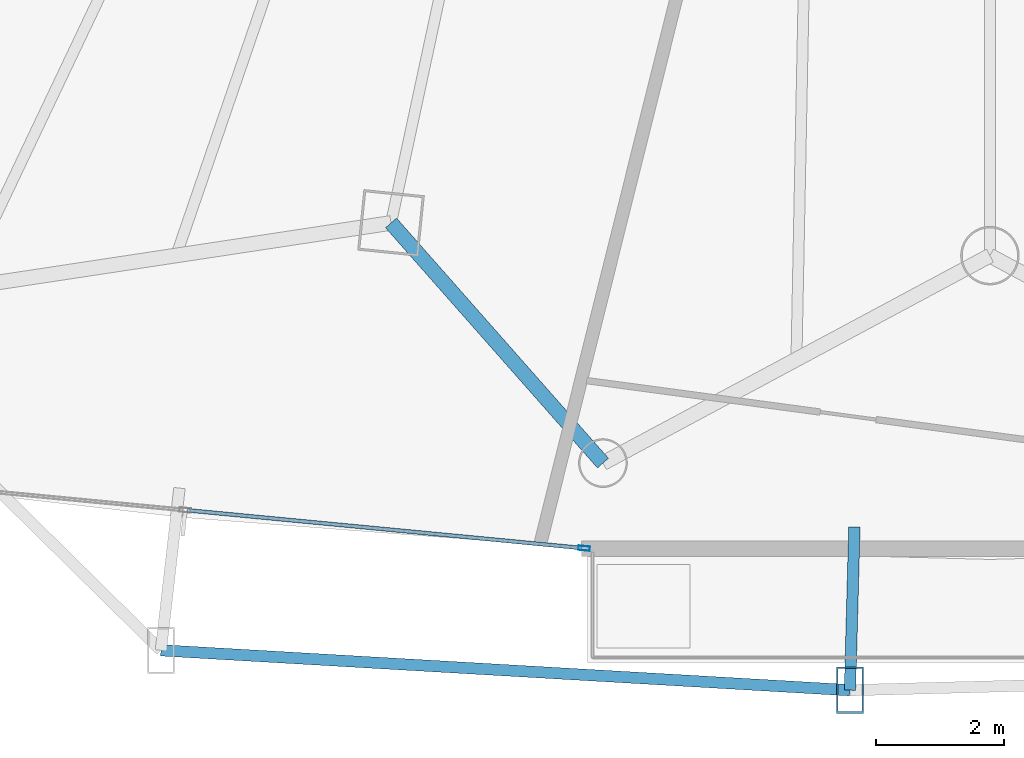
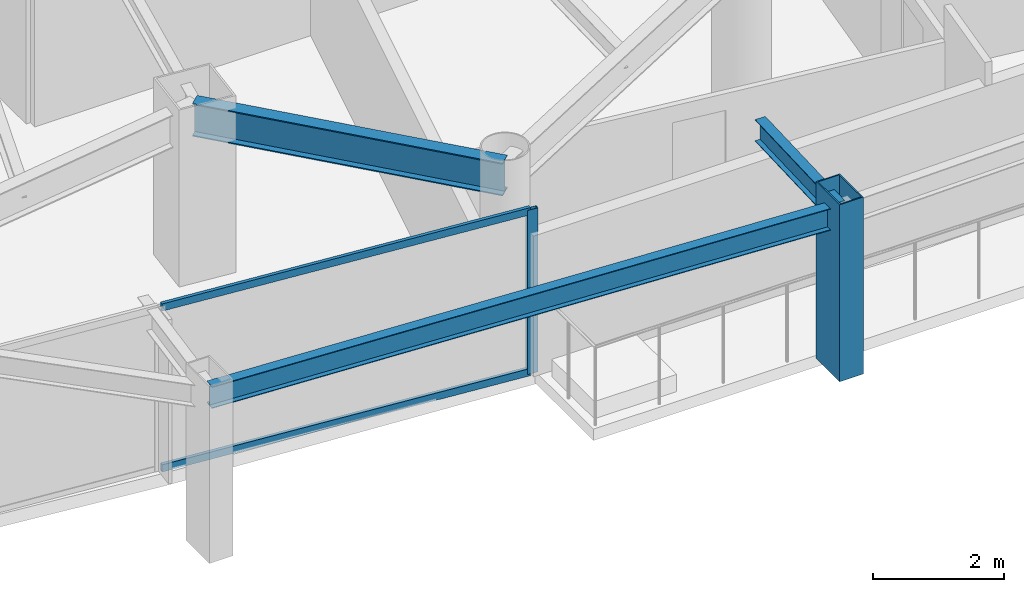
# One storey, part 6 of 33: 4 members, 3 beams, 1 element without a shape of its own.
"""IFC4 building model written with IfcOpenShell, lengths in metres."""

from ifc_helpers import new_model, si_unit, direction, frame, origin, origin_2d, place, context, subcontext, project, spatial, hollow_rectangle, i_section, extrude, material, layer, layer_set, material_profile, profile_set, type_object, element, aggregate, save


model = new_model("IFC4")

# Units and contexts
model_context = context("Model", 3, precision=1e-05, world=origin(), true_north=direction((0.0, 1.0)))
body_context = subcontext(model_context, "Body", "Model", "MODEL_VIEW")
ifc_project = project(units=[si_unit("LENGTHUNIT", "METRE"), si_unit("AREAUNIT", "SQUARE_METRE"), si_unit("VOLUMEUNIT", "CUBIC_METRE"), si_unit("PLANEANGLEUNIT", "RADIAN"), si_unit("MASSUNIT", "GRAM", prefix="KILO")], contexts=[model_context])

# Site, building, storey
site_placement = place(None, origin())
site = spatial("IfcSite", under=ifc_project, at=site_placement, CompositionType="ELEMENT")
building_placement = place(site_placement, origin())
building = spatial("IfcBuilding", under=site, at=building_placement, Name="Orvanel Arch Residences", CompositionType="ELEMENT")
storey_placement = place(building_placement, frame((0.0, 0.0, 84.050048828125)))
storey = spatial("IfcBuildingStorey", under=building, at=storey_placement, Name="L23", CompositionType="ELEMENT", Elevation=84.050048828125)

# Member
ifc_material_1 = material(Name="Structural steel AS/NZS 3678 Grade 350", Category="steel")
ifc_material_profile_1 = material_profile(ifc_material_1, hollow_rectangle(XDim=0.419921875, YDim=0.719970703125, WallThickness=0.02490234375, at=origin_2d()), Name="RHS720x420x25")
ifc_profile_set_1 = profile_set([ifc_material_profile_1], Name="Structural steel AS/NZS 3678 Grade 350")
member_type_1 = type_object("IfcMemberType", Name="CH-720RHS-EXT", PredefinedType="CHORD", material=ifc_profile_set_1)
member_1_placement = place(storey_placement, frame((30.81494140625, 0.05908203125, 0.0), z_axis=(0.0, 0.0, 1.0), x_axis=(1.0, 0.0, 0.0)))
element("IfcMember", 1, at=member_1_placement, inside=storey, type_object=member_type_1, Name="L23 Outer Perimeter Frame Post 06", PredefinedType="CHORD", context=body_context, shape_type="SweptSolid", body=[
    extrude(hollow_rectangle(XDim=0.419921875, YDim=0.719970703125, WallThickness=0.02490234375, at=origin_2d()), origin(), (0.0, 0.0, 1.0), 3.300048828125),
])

# Curtain wall, member
ifc_material_2 = material(Name="Bronze-anodised aluminium AA6063-T6", Category="aluminium")
ifc_layer = layer(ifc_material_2, 0.179931640625)
ifc_layer_set = layer_set([ifc_layer], Name="Bronze-anodised aluminium AA6063-T6")
curtain_wall_type = type_object("IfcCurtainWallType", Name="CW2-LOW-SYS", PredefinedType="NOTDEFINED", material=ifc_layer_set)
curtain_wall_placement = place(storey_placement, origin())
curtain_wall = element("IfcCurtainWall", 2, at=curtain_wall_placement, inside=storey, type_object=curtain_wall_type, Name="L23 CW2-LOW-SYS Unitised Curtain Wall", PredefinedType="NOTDEFINED")
ifc_material_profile_2 = material_profile(ifc_material_2, hollow_rectangle(XDim=0.070068359375, YDim=0.179931640625, WallThickness=0.00439453125, at=origin_2d()), Name="ALU180x70x4.5")
ifc_profile_set_2 = profile_set([ifc_material_profile_2], Name="Bronze-anodised aluminium AA6063-T6")
member_type_2 = type_object("IfcMemberType", Name="MUL-180x70", PredefinedType="MULLION", material=ifc_profile_set_2)
member_2_placement = place(storey_placement, frame((26.6630859375, 2.275390625, 0.0), z_axis=(0.0, 0.0, 1.0), x_axis=(0.095292908754, 0.995449276227, 0.0)))
member_2 = element("IfcMember", 3, at=member_2_placement, type_object=member_type_2, Name="CW-S2 mullion 3", PredefinedType="MULLION", context=body_context, shape_type="SweptSolid", body=[
    extrude(hollow_rectangle(XDim=0.070068359375, YDim=0.179931640625, WallThickness=0.00439453125, at=origin_2d()), origin(), (0.0, 0.0, 1.0), 3.06005859375),
])

# Beams
ifc_material_3 = material(Name="Structural steel AS/NZS 3679.1 Grade 300 (300 MPa)", Category="steel")
ifc_material_profile_3 = material_profile(ifc_material_3, i_section(OverallWidth=0.177978515625, OverallDepth=0.406005859375, WebThickness=0.0078125, FlangeThickness=0.0126953125, at=origin_2d()), Name="410UB59.7")
ifc_profile_set_3 = profile_set([ifc_material_profile_3], Name="Structural steel AS/NZS 3679.1 Grade 300 (300 MPa)")
beam_type_1 = type_object("IfcBeamType", Name="OB-410UB-EXT", PredefinedType="SPANDREL", material=ifc_profile_set_3)
beam_1_placement = place(storey_placement, frame((20.055908203125, 0.681884765625, 2.85693359375), z_axis=(0.998328775622, -0.057789754853, 0.0), x_axis=(0.057789754853, 0.998328775622, 0.0)))
element("IfcBeam", 4, at=beam_1_placement, inside=storey, type_object=beam_type_1, Name="L23 Outer Perimeter Floor Ring Beam 05", PredefinedType="SPANDREL", context=body_context, shape_type="SweptSolid", body=[
    extrude(i_section(OverallWidth=0.177978515625, OverallDepth=0.406005859375, WebThickness=0.0078125, FlangeThickness=0.0126953125, at=origin_2d()), origin(), (0.0, 0.0, 1.0), 10.777099609375),
])
beam_2_placement = place(storey_placement, frame((30.884033203125, 2.60791015625, 2.85693359375), z_axis=(-0.027097325902, -0.999632800047, 0.0), x_axis=(0.999632800047, -0.027097325902, 0.0)))
element("IfcBeam", 5, at=beam_2_placement, inside=storey, type_object=beam_type_1, Name="L23 Outer Frame Radial Tie Beam 06", PredefinedType="SPANDREL", context=body_context, shape_type="SweptSolid", body=[
    extrude(i_section(OverallWidth=0.177978515625, OverallDepth=0.406005859375, WebThickness=0.0078125, FlangeThickness=0.0126953125, at=origin_2d()), origin(), (0.0, 0.0, 1.0), 2.5498046875),
])
ifc_material_profile_4 = material_profile(ifc_material_3, i_section(OverallWidth=0.22900390625, OverallDepth=0.612060546875, WebThickness=0.011962890625, FlangeThickness=0.01953125, at=origin_2d()), Name="610UB125")
ifc_profile_set_4 = profile_set([ifc_material_profile_4], Name="Structural steel AS/NZS 3679.1 Grade 300 (300 MPa)")
beam_type_2 = type_object("IfcBeamType", Name="SP-610UB", PredefinedType="SPANDREL", material=ifc_profile_set_4)
beam_3_placement = place(storey_placement, frame((23.64892578125, 7.35498046875, 2.75390625), z_axis=(0.661650698195, -0.749812212209, 0.0), x_axis=(0.749812212209, 0.661650698195, 0.0)))
element("IfcBeam", 6, at=beam_3_placement, inside=storey, type_object=beam_type_2, Name="L23 Perimeter Spandrel Beam 05", PredefinedType="SPANDREL", context=body_context, shape_type="SweptSolid", body=[
    extrude(i_section(OverallWidth=0.22900390625, OverallDepth=0.612060546875, WebThickness=0.011962890625, FlangeThickness=0.01953125, at=origin_2d()), origin(), (0.0, 0.0, 1.0), 5.001220703125),
])

# Member
ifc_material_profile_5 = material_profile(ifc_material_2, hollow_rectangle(XDim=0.06005859375, YDim=0.135009765625, WallThickness=0.00390625, at=origin_2d()), Name="ALU135x60x4")
ifc_profile_set_5 = profile_set([ifc_material_profile_5], Name="Bronze-anodised aluminium AA6063-T6")
member_type_3 = type_object("IfcMemberType", Name="TRN-135x60", PredefinedType="USERDEFINED", material=ifc_profile_set_5)
member_3_placement = place(storey_placement, frame((20.470458984375, 2.8681640625, 0.030029296875), z_axis=(0.995447632735, -0.095310075449, 0.0), x_axis=(0.095310075449, 0.995447632735, 0.0)))
member_3 = element("IfcMember", 7, at=member_3_placement, type_object=member_type_3, Name="CW-S2 transom 2.1", ObjectType="TRANSOM", PredefinedType="USERDEFINED", context=body_context, shape_type="SweptSolid", body=[
    extrude(hollow_rectangle(XDim=0.06005859375, YDim=0.135009765625, WallThickness=0.00390625, at=origin_2d()), origin(), (0.0, 0.0, 1.0), 6.18603515625),
])

member_4_placement = place(storey_placement, frame((20.470458984375, 2.8681640625, 3.030029296875), z_axis=(0.995447632735, -0.095310075449, 0.0), x_axis=(0.095310075449, 0.995447632735, 0.0)))
member_4 = element("IfcMember", 8, at=member_4_placement, type_object=member_type_3, Name="CW-S2 transom 2.2", ObjectType="TRANSOM", PredefinedType="USERDEFINED", context=body_context, shape_type="SweptSolid", body=[
    extrude(hollow_rectangle(XDim=0.06005859375, YDim=0.135009765625, WallThickness=0.00390625, at=origin_2d()), origin(), (0.0, 0.0, 1.0), 6.18603515625),
])

aggregate(curtain_wall, [member_2, member_3, member_4])

save(model, "model.ifc")
